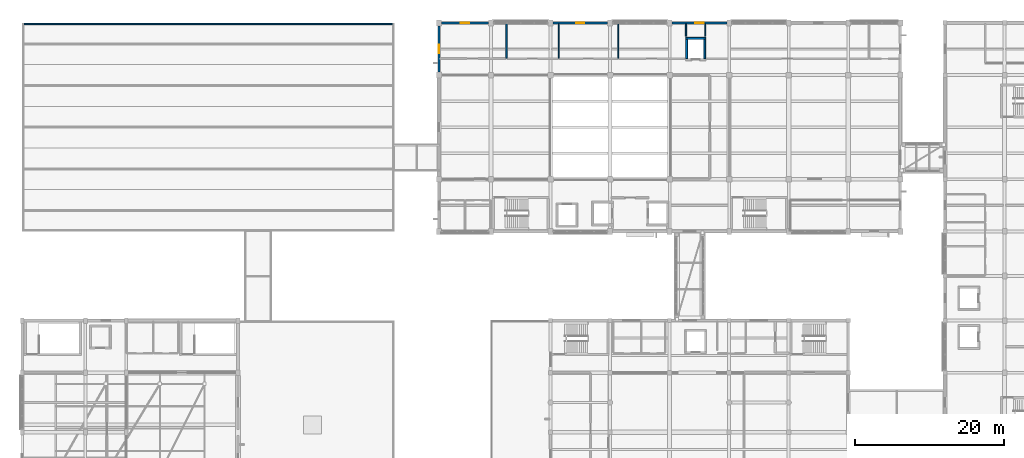
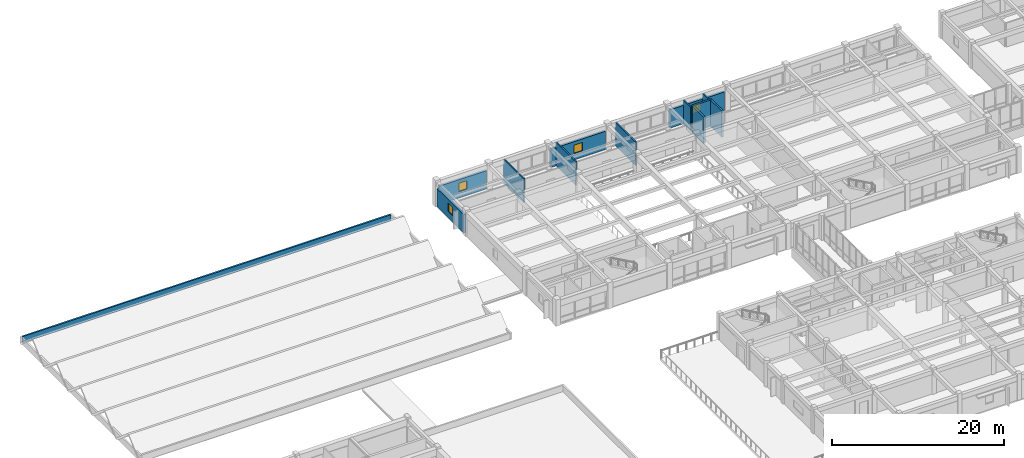
# One storey, part 31 of 42: 13 walls, 4 windows, 4 openings.
"""IFC4 building model written with IfcOpenShell, lengths in metres."""

from ifc_helpers import new_model, si_unit, direction, frame, frame_2d, origin, place, context, subcontext, project, spatial, rectangle, extrude, material, layer, layer_set, type_object, element, fill, save


model = new_model("IFC4")

# Units and contexts
model_context = context("Model", 3, precision=1e-05, world=origin(), true_north=direction((0.0, 1.0)))
body_context = subcontext(model_context, "Body", "Model", "MODEL_VIEW")
ifc_project = project(units=[si_unit("LENGTHUNIT", "METRE"), si_unit("AREAUNIT", "SQUARE_METRE"), si_unit("VOLUMEUNIT", "CUBIC_METRE"), si_unit("PLANEANGLEUNIT", "RADIAN"), si_unit("MASSUNIT", "GRAM", prefix="KILO")], contexts=[model_context])

# Site, building, storey
site_placement = place(None, origin())
site = spatial("IfcSite", under=ifc_project, at=site_placement, CompositionType="ELEMENT")
building_placement = place(site_placement, origin())
building = spatial("IfcBuilding", under=site, at=building_placement, Name="Naurynzar Civic Courthouse", CompositionType="ELEMENT")
storey_placement = place(building_placement, frame((0.0, 0.0, 18.300048828125)))
storey = spatial("IfcBuildingStorey", under=building, at=storey_placement, Name="L05", CompositionType="ELEMENT", Elevation=18.300048828125)

# Wall, opening, window
ifc_material_1 = material(Name="Precast concrete C40/50", Category="concrete")
ifc_layer_1 = layer(ifc_material_1, 0.300048828125)
ifc_layer_set_1 = layer_set([ifc_layer_1], Name="WL-EXT-300")
wall_type_1 = type_object("IfcWallType", Name="WL-EXT-300", PredefinedType="SOLIDWALL", material=ifc_layer_set_1)
wall_1_placement = place(storey_placement, frame((62.0, 65.39990234375, 0.0), z_axis=(0.0, 0.0, 1.0), x_axis=(0.0, 1.0, 0.0)))
wall_1 = element("IfcWall", 1, at=wall_1_placement, inside=storey, type_object=wall_type_1, Name="V2 exterior wall west L05.3.1", PredefinedType="SOLIDWALL", context=body_context, shape_type="SweptSolid", body=[
    extrude(rectangle(XDim=6.2001953125, YDim=0.300048828125, at=frame_2d((3.10009765625, 0.0))), origin(), (0.0, 0.0, 1.0), 2.599853515625),
])
opening_1_placement = place(wall_1_placement, frame((2.550048828125, 0.0, 0.89990234375)))
opening_1 = element("IfcOpeningElement", 2, at=opening_1_placement, cuts=wall_1, Name="Opening WN-15", PredefinedType="OPENING", context=body_context, shape_type="SweptSolid", body=[
    extrude(rectangle(XDim=1.10009765625, YDim=1.199951171875, at=frame_2d((0.550048828125, 0.60009765625))), frame((0.0, 0.159912109375, 0.0), z_axis=(0.0, -1.0, 0.0), x_axis=(1.0, 0.0, 0.0)), (0.0, 0.0, 1.0), 0.320068359375),
])
ifc_material_2 = material(Name="Tempered Laminated Low-E Glass", Category="glass")
window_type = type_object("IfcWindowType", Name="WIN-SEC-1100x1200", PartitioningType="SINGLE_PANEL", PredefinedType="WINDOW", material=ifc_material_2)
window_1_placement = place(opening_1_placement, origin())
window_1 = element("IfcWindow", 3, at=window_1_placement, inside=storey, type_object=window_type, Name="V2 window 84 L05", OverallHeight=1.199951171875, OverallWidth=1.10009765625, PartitioningType="SINGLE_PANEL", PredefinedType="WINDOW", context=body_context, shape_type="SweptSolid", body=[
    extrude(rectangle(XDim=1.10009765625, YDim=1.199951171875, at=frame_2d((0.550048828125, 0.60009765625))), frame((0.0, 0.030029296875, 0.0), z_axis=(0.0, -1.0, 0.0), x_axis=(1.0, 0.0, 0.0)), (0.0, 0.0, 1.0), 0.06005859375),
])
fill(opening_1, window_1)

wall_2_placement = place(storey_placement, frame((62.324951171875, 72.0, 0.0), z_axis=(0.0, 0.0, 1.0), x_axis=(1.0, 0.0, 0.0)))
wall_2 = element("IfcWall", 4, at=wall_2_placement, inside=storey, type_object=wall_type_1, Name="V2 exterior wall north L05.1.1", PredefinedType="SOLIDWALL", context=body_context, shape_type="SweptSolid", body=[
    extrude(rectangle(XDim=6.35009765625, YDim=0.300048828125, at=frame_2d((3.175048828125, 0.0))), origin(), (0.0, 0.0, 1.0), 2.599853515625),
])
opening_2_placement = place(wall_2_placement, frame((2.625, 0.0, 0.89990234375)))
opening_2 = element("IfcOpeningElement", 5, at=opening_2_placement, cuts=wall_2, Name="Opening WN-15", PredefinedType="OPENING", context=body_context, shape_type="SweptSolid", body=[
    extrude(rectangle(XDim=1.10009765625, YDim=1.199951171875, at=frame_2d((0.550048828125, 0.60009765625))), frame((0.0, 0.159912109375, 0.0), z_axis=(0.0, -1.0, 0.0), x_axis=(1.0, 0.0, 0.0)), (0.0, 0.0, 1.0), 0.320068359375),
])
window_2_placement = place(opening_2_placement, origin())
window_2 = element("IfcWindow", 6, at=window_2_placement, inside=storey, type_object=window_type, Name="V2 window 85 L05", OverallHeight=1.199951171875, OverallWidth=1.10009765625, PartitioningType="SINGLE_PANEL", PredefinedType="WINDOW", context=body_context, shape_type="SweptSolid", body=[
    extrude(rectangle(XDim=1.10009765625, YDim=1.199951171875, at=frame_2d((0.550048828125, 0.60009765625))), frame((0.0, 0.030029296875, 0.0), z_axis=(0.0, -1.0, 0.0), x_axis=(1.0, 0.0, 0.0)), (0.0, 0.0, 1.0), 0.06005859375),
])
fill(opening_2, window_2)

wall_3_placement = place(storey_placement, frame((77.324951171875, 72.0, 0.0), z_axis=(0.0, 0.0, 1.0), x_axis=(1.0, 0.0, 0.0)))
wall_3 = element("IfcWall", 7, at=wall_3_placement, inside=storey, type_object=wall_type_1, Name="V2 exterior wall north L05.3.1", PredefinedType="SOLIDWALL", context=body_context, shape_type="SweptSolid", body=[
    extrude(rectangle(XDim=7.35009765625, YDim=0.300048828125, at=frame_2d((3.675048828125, 0.0))), origin(), (0.0, 0.0, 1.0), 2.599853515625),
])
opening_3_placement = place(wall_3_placement, frame((3.125, 0.0, 0.89990234375)))
opening_3 = element("IfcOpeningElement", 8, at=opening_3_placement, cuts=wall_3, Name="Opening WN-15", PredefinedType="OPENING", context=body_context, shape_type="SweptSolid", body=[
    extrude(rectangle(XDim=1.10009765625, YDim=1.199951171875, at=frame_2d((0.550048828125, 0.60009765625))), frame((0.0, 0.159912109375, 0.0), z_axis=(0.0, -1.0, 0.0), x_axis=(1.0, 0.0, 0.0)), (0.0, 0.0, 1.0), 0.320068359375),
])
window_3_placement = place(opening_3_placement, origin())
window_3 = element("IfcWindow", 9, at=window_3_placement, inside=storey, type_object=window_type, Name="V2 window 86 L05", OverallHeight=1.199951171875, OverallWidth=1.10009765625, PartitioningType="SINGLE_PANEL", PredefinedType="WINDOW", context=body_context, shape_type="SweptSolid", body=[
    extrude(rectangle(XDim=1.10009765625, YDim=1.199951171875, at=frame_2d((0.550048828125, 0.60009765625))), frame((0.0, 0.030029296875, 0.0), z_axis=(0.0, -1.0, 0.0), x_axis=(1.0, 0.0, 0.0)), (0.0, 0.0, 1.0), 0.06005859375),
])
fill(opening_3, window_3)

wall_4_placement = place(storey_placement, frame((93.324951171875, 72.0, 0.0), z_axis=(0.0, 0.0, 1.0), x_axis=(1.0, 0.0, 0.0)))
wall_4 = element("IfcWall", 10, at=wall_4_placement, inside=storey, type_object=wall_type_1, Name="V2 exterior wall north L05.5.1", PredefinedType="SOLIDWALL", context=body_context, shape_type="SweptSolid", body=[
    extrude(rectangle(XDim=7.35009765625, YDim=0.300048828125, at=frame_2d((3.675048828125, 0.0))), origin(), (0.0, 0.0, 1.0), 2.599853515625),
])
opening_4_placement = place(wall_4_placement, frame((3.125, 0.0, 0.89990234375)))
opening_4 = element("IfcOpeningElement", 11, at=opening_4_placement, cuts=wall_4, Name="Opening WN-15", PredefinedType="OPENING", context=body_context, shape_type="SweptSolid", body=[
    extrude(rectangle(XDim=1.10009765625, YDim=1.199951171875, at=frame_2d((0.550048828125, 0.60009765625))), frame((0.0, 0.159912109375, 0.0), z_axis=(0.0, -1.0, 0.0), x_axis=(1.0, 0.0, 0.0)), (0.0, 0.0, 1.0), 0.320068359375),
])
window_4_placement = place(opening_4_placement, origin())
window_4 = element("IfcWindow", 12, at=window_4_placement, inside=storey, type_object=window_type, Name="V2 window 87 L05", OverallHeight=1.199951171875, OverallWidth=1.10009765625, PartitioningType="SINGLE_PANEL", PredefinedType="WINDOW", context=body_context, shape_type="SweptSolid", body=[
    extrude(rectangle(XDim=1.10009765625, YDim=1.199951171875, at=frame_2d((0.550048828125, 0.60009765625))), frame((0.0, 0.030029296875, 0.0), z_axis=(0.0, -1.0, 0.0), x_axis=(1.0, 0.0, 0.0)), (0.0, 0.0, 1.0), 0.06005859375),
])
fill(opening_4, window_4)

# Walls
ifc_material_3 = material(Name="Precast concrete C40/50", Category="concrete")
ifc_layer_2 = layer(ifc_material_3, 0.219970703125)
ifc_layer_set_2 = layer_set([ifc_layer_2], Name="WL-PARA-220")
wall_type_2 = type_object("IfcWallType", Name="WL-PARA-220", PredefinedType="PARAPET", material=ifc_layer_set_2)
wall_5_placement = place(storey_placement, frame((6.22998046875, 71.8798828125, 0.0), z_axis=(0.0, 0.0, 1.0), x_axis=(1.0, 0.0, 0.0)))
element("IfcWall", 13, at=wall_5_placement, inside=storey, type_object=wall_type_2, Name="Roof perimeter parapet V1-RF.32", PredefinedType="PARAPET", context=body_context, shape_type="SweptSolid", body=[
    extrude(rectangle(XDim=49.5400390625, YDim=0.219970703125, at=frame_2d((24.77001953125, 0.0))), origin(), (0.0, 0.0, 1.0), 0.89990234375),
])
ifc_material_4 = material(Name="Insulated Metal-Stud Gypsum Partition")
ifc_layer_3 = layer(ifc_material_4, 0.159912109375)
ifc_layer_set_3 = layer_set([ifc_layer_3], Name="WL-PART-CHAMB-160")
wall_type_3 = type_object("IfcWallType", Name="WL-PART-CHAMB-160", PredefinedType="PARTITIONING", material=ifc_layer_set_3)
for number, where, z_axis, x_axis, name in (
    (14, (78.080078125, 67.280029296875, 0.0), (0.0, 0.0, 1.0), (0.0, 1.0, 0.0), "V2 interior partition L05.624"),
    (15, (86.110107421875, 67.280029296875, 0.0), (0.0, 0.0, 1.0), (0.0, 1.0, 0.0), "V2 interior partition L05.628"),
):
    element("IfcWall", number, at=place(storey_placement, frame(where, z_axis=z_axis, x_axis=x_axis)), inside=storey, type_object=wall_type_3, Name=name, PredefinedType="PARTITIONING", context=body_context, shape_type="SweptSolid", body=[
        extrude(rectangle(XDim=4.639892578125, YDim=0.159912109375, at=frame_2d((2.31982421875, 0.0))), origin(), (0.0, 0.0, 1.0), 3.389892578125),
    ])
for number, where, z_axis, x_axis, name in (
    (16, (95.199951171875, 70.199951171875, 0.0), (0.0, 0.0, 1.0), (0.0, 1.0, 0.0), "V2 interior partition L05.631"),
    (17, (97.800048828125, 70.199951171875, 0.0), (0.0, 0.0, 1.0), (0.0, 1.0, 0.0), "V2 interior partition L05.632"),
):
    element("IfcWall", number, at=place(storey_placement, frame(where, z_axis=z_axis, x_axis=x_axis)), inside=storey, type_object=wall_type_3, Name=name, PredefinedType="PARTITIONING", context=body_context, shape_type="SweptSolid", body=[
        extrude(rectangle(XDim=1.719970703125, YDim=0.159912109375, at=frame_2d((0.85986328125, 0.0))), origin(), (0.0, 0.0, 1.0), 3.389892578125),
    ])
ifc_material_5 = material(Name="Acoustic Double-Stud Gypsum Partition")
ifc_layer_4 = layer(ifc_material_5, 0.179931640625)
ifc_layer_set_4 = layer_set([ifc_layer_4], Name="WL-PART-JURY-180")
wall_type_4 = type_object("IfcWallType", Name="WL-PART-JURY-180", PredefinedType="PARTITIONING", material=ifc_layer_set_4)
wall_6_placement = place(storey_placement, frame((71.090087890625, 67.280029296875, 0.0), z_axis=(0.0, 0.0, 1.0), x_axis=(0.0, 1.0, 0.0)))
element("IfcWall", 18, at=wall_6_placement, inside=storey, type_object=wall_type_4, Name="V2 interior partition L05.623", PredefinedType="PARTITIONING", context=body_context, shape_type="SweptSolid", body=[
    extrude(rectangle(XDim=4.639892578125, YDim=0.179931640625, at=frame_2d((2.31982421875, 0.0))), origin(), (0.0, 0.0, 1.0), 3.389892578125),
])
ifc_material_6 = material(Name="Concrete C40/50", Category="concrete")
ifc_layer_5 = layer(ifc_material_6, 0.25)
ifc_layer_set_5 = layer_set([ifc_layer_5], Name="WL-SHAFT-250")
wall_type_5 = type_object("IfcWallType", Name="WL-SHAFT-250", PredefinedType="SHEAR", material=ifc_layer_set_5)
wall_7_placement = place(storey_placement, frame((97.85009765625, 69.925048828125, 0.0), z_axis=(0.0, 0.0, 1.0), x_axis=(-1.0, 0.0, 0.0)))
element("IfcWall", 19, at=wall_7_placement, inside=storey, type_object=wall_type_5, Name="Lift LJ-02 shaft wall north L05", PredefinedType="SHEAR", context=body_context, shape_type="SweptSolid", body=[
    extrude(rectangle(XDim=2.7001953125, YDim=0.25, at=frame_2d((1.35009765625, 0.0))), origin(), (0.0, 0.0, 1.0), 3.75),
])
for number, where, z_axis, x_axis, name in (
    (20, (95.27490234375, 69.794921875, 0.0), (0.0, 0.0, 1.0), (0.0, -1.0, 0.0), "Lift LJ-02 shaft wall west L05"),
    (21, (97.72509765625, 67.205078125, 0.0), (0.0, 0.0, 1.0), (0.0, 1.0, 0.0), "Lift LJ-02 shaft wall east L05"),
):
    element("IfcWall", number, at=place(storey_placement, frame(where, z_axis=z_axis, x_axis=x_axis)), inside=storey, type_object=wall_type_5, Name=name, PredefinedType="SHEAR", context=body_context, shape_type="SweptSolid", body=[
        extrude(rectangle(XDim=2.58984375, YDim=0.25, at=frame_2d((1.294921875, 0.0))), origin(), (0.0, 0.0, 1.0), 3.75),
    ])

save(model, "model.ifc")
